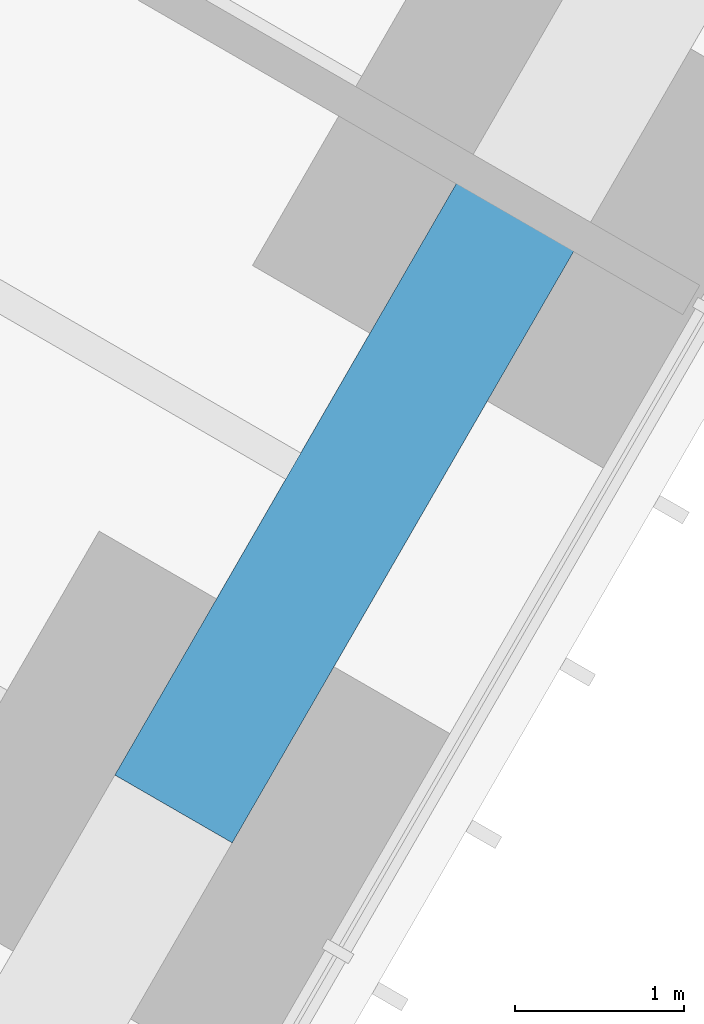
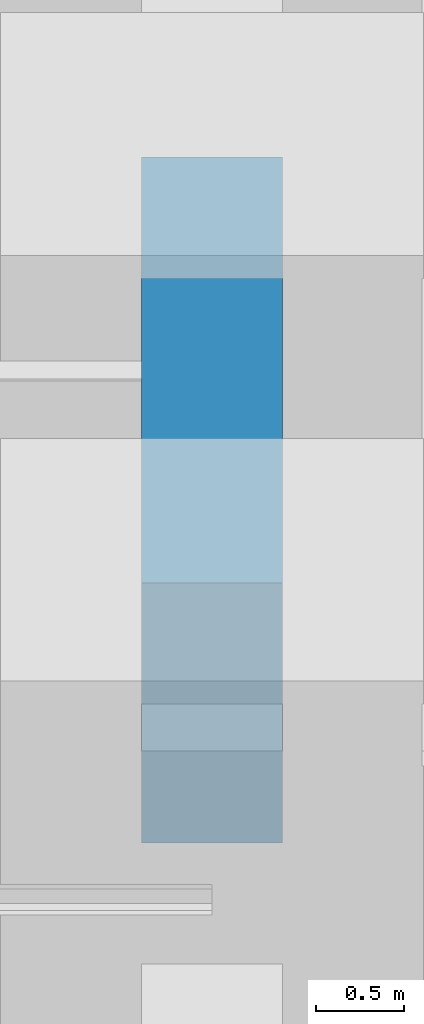
# One storey, part 102 of 256: 1 beam.
"""IFC4 building model written with IfcOpenShell, lengths in metres."""

from ifc_helpers import new_model, si_unit, direction, frame, origin, origin_2d, place, context, subcontext, project, spatial, rectangle, extrude, material, material_profile, profile_set, type_object, element, save


model = new_model("IFC4")

# Units and contexts
model_context = context("Model", 3, precision=1e-05, world=origin(), true_north=direction((0.0, 1.0)))
body_context = subcontext(model_context, "Body", "Model", "MODEL_VIEW")
ifc_project = project(units=[si_unit("LENGTHUNIT", "METRE"), si_unit("AREAUNIT", "SQUARE_METRE"), si_unit("VOLUMEUNIT", "CUBIC_METRE"), si_unit("PLANEANGLEUNIT", "RADIAN"), si_unit("MASSUNIT", "GRAM", prefix="KILO")], contexts=[model_context])

# Site, building, storey
site_placement = place(None, origin())
site = spatial("IfcSite", under=ifc_project, at=site_placement, CompositionType="ELEMENT")
building_placement = place(site_placement, origin())
building = spatial("IfcBuilding", under=site, at=building_placement, Name="Sandreach Pilgrim Tower", CompositionType="ELEMENT")
storey_placement = place(building_placement, frame((0.0, 0.0, 23.0)))
storey = spatial("IfcBuildingStorey", under=building, at=storey_placement, Name="L04", CompositionType="ELEMENT", Elevation=23.0)

# Beam
ifc_material = material(Name="Concrete 10000 psi", Category="concrete")
ifc_material_profile = material_profile(ifc_material, rectangle(XDim=0.800048828125, YDim=1.800048828125, at=origin_2d()), Name="RC800X1800")
ifc_profile_set = profile_set([ifc_material_profile], Name="Concrete 10000 psi")
beam_type = type_object("IfcBeamType", Name="Spandrel beam RC800X1800", PredefinedType="SPANDREL", material=ifc_profile_set)
beam_placement = place(storey_placement, frame((18.596435546875, -13.167236328125, 2.739990234375), z_axis=(-0.499993523031, -0.866029143232, 0.0), x_axis=(0.866029143232, -0.499993523031, 0.0)))
element("IfcBeam", 1, at=beam_placement, inside=storey, type_object=beam_type, Name="BM L04 SP18", PredefinedType="SPANDREL", context=body_context, shape_type="SweptSolid", body=[
    extrude(rectangle(XDim=0.800048828125, YDim=1.800048828125, at=origin_2d()), origin(), (0.0, 0.0, 1.0), 4.2099609375),
])

save(model, "model.ifc")
